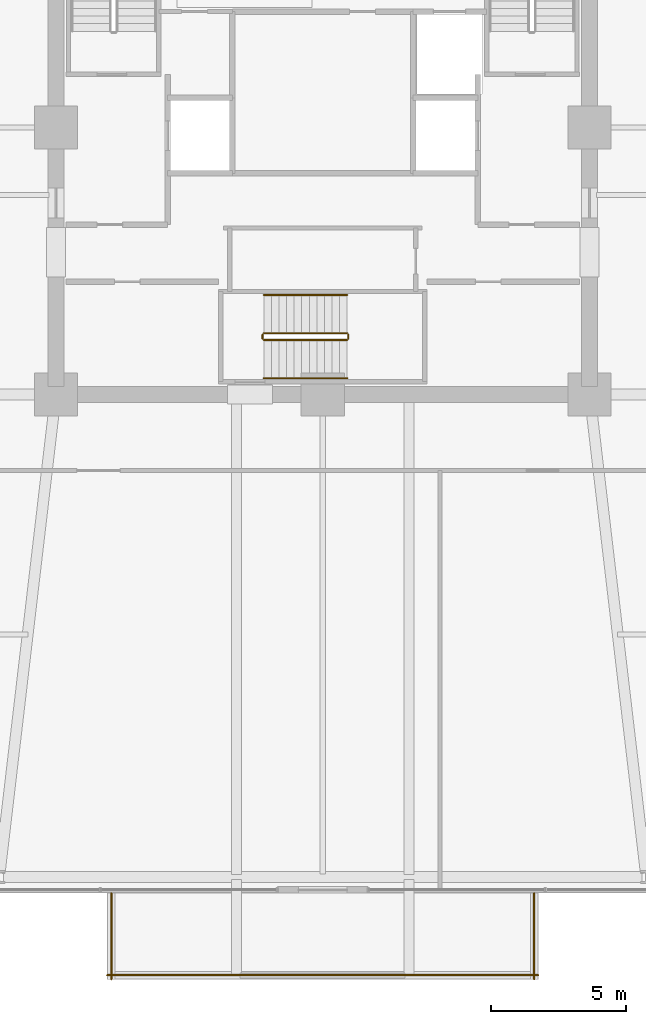
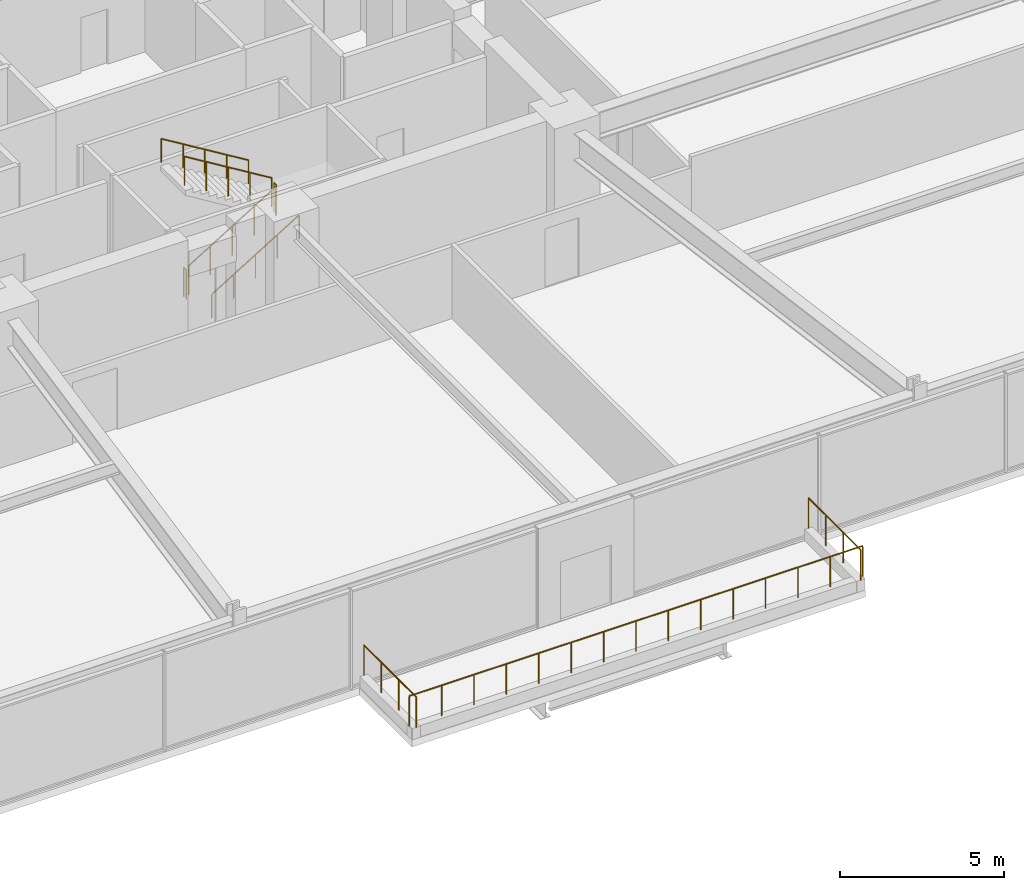
# One storey, part 37 of 39: 9 railings.
"""IFC4 building model written with IfcOpenShell, lengths in metres."""

from ifc_helpers import new_model, si_unit, direction, frame, origin, origin_2d, place, context, subcontext, project, spatial, circle, extrude, material, type_object, element, save


model = new_model("IFC4")

# Units and contexts
model_context = context("Model", 3, precision=1e-05, world=origin(), true_north=direction((0.0, 1.0)))
body_context = subcontext(model_context, "Body", "Model", "MODEL_VIEW")
ifc_project = project(units=[si_unit("LENGTHUNIT", "METRE"), si_unit("AREAUNIT", "SQUARE_METRE"), si_unit("VOLUMEUNIT", "CUBIC_METRE"), si_unit("PLANEANGLEUNIT", "RADIAN"), si_unit("MASSUNIT", "GRAM", prefix="KILO")], contexts=[model_context])

# Site, building, storey
site_placement = place(None, origin())
site = spatial("IfcSite", under=ifc_project, at=site_placement, CompositionType="ELEMENT")
building_placement = place(site_placement, origin())
building = spatial("IfcBuilding", under=site, at=building_placement, Name="Kolvaren Belvedere", CompositionType="ELEMENT")
storey_placement = place(building_placement, frame((0.0, 0.0, 15.199951171875)))
storey = spatial("IfcBuildingStorey", under=building, at=storey_placement, Name="L04", CompositionType="ELEMENT", Elevation=15.199951171875)

# Railings
ifc_material_1 = material(Name="Anodised pale-metal aluminium & laminated glass guard", Category="aluminium")
railing_type_1 = type_object("IfcRailingType", Name="RL-GUARD-1150", PredefinedType="GUARDRAIL", material=ifc_material_1)
railing_1_placement = place(storey_placement, frame((-8.0, -31.43994140625, 0.400146484375)))
element("IfcRailing", 1, at=railing_1_placement, inside=storey, type_object=railing_type_1, Name="L04 Exterior Deck Safety Guard POD-TERR-S-1", PredefinedType="GUARDRAIL", context=body_context, shape_type="SweptSolid", body=[
    extrude(circle(Radius=0.02392578125, at=origin_2d()), frame((0.0, 0.0, 1.1259765625), z_axis=(1.0, 0.0, 0.0), x_axis=(0.0, 1.0, 0.0)), (0.0, 0.0, 1.0), 16.0),
    extrude(circle(Radius=0.02099609375, at=origin_2d()), origin(), (0.0, 0.0, 1.0), 1.101806640625),
    extrude(circle(Radius=0.02099609375, at=origin_2d()), frame((1.142822265625, 0.0, 0.0)), (0.0, 0.0, 1.0), 1.101806640625),
    extrude(circle(Radius=0.02099609375, at=origin_2d()), frame((2.28564453125, 0.0, 0.0)), (0.0, 0.0, 1.0), 1.101806640625),
    extrude(circle(Radius=0.02099609375, at=origin_2d()), frame((3.428466796875, 0.0, 0.0)), (0.0, 0.0, 1.0), 1.101806640625),
    extrude(circle(Radius=0.02099609375, at=origin_2d()), frame((4.571533203125, 0.0, 0.0)), (0.0, 0.0, 1.0), 1.101806640625),
    extrude(circle(Radius=0.02099609375, at=origin_2d()), frame((5.71435546875, 0.0, 0.0)), (0.0, 0.0, 1.0), 1.101806640625),
    extrude(circle(Radius=0.02099609375, at=origin_2d()), frame((6.857177734375, 0.0, 0.0)), (0.0, 0.0, 1.0), 1.101806640625),
    extrude(circle(Radius=0.02099609375, at=origin_2d()), frame((8.0, 0.0, 0.0)), (0.0, 0.0, 1.0), 1.101806640625),
    extrude(circle(Radius=0.02099609375, at=origin_2d()), frame((9.142822265625, 0.0, 0.0)), (0.0, 0.0, 1.0), 1.101806640625),
    extrude(circle(Radius=0.02099609375, at=origin_2d()), frame((10.28564453125, 0.0, 0.0)), (0.0, 0.0, 1.0), 1.101806640625),
    extrude(circle(Radius=0.02099609375, at=origin_2d()), frame((11.428466796875, 0.0, 0.0)), (0.0, 0.0, 1.0), 1.101806640625),
    extrude(circle(Radius=0.02099609375, at=origin_2d()), frame((12.571533203125, 0.0, 0.0)), (0.0, 0.0, 1.0), 1.101806640625),
    extrude(circle(Radius=0.02099609375, at=origin_2d()), frame((13.71435546875, 0.0, 0.0)), (0.0, 0.0, 1.0), 1.101806640625),
    extrude(circle(Radius=0.02099609375, at=origin_2d()), frame((14.857177734375, 0.0, 0.0)), (0.0, 0.0, 1.0), 1.101806640625),
    extrude(circle(Radius=0.02099609375, at=origin_2d()), frame((16.0, 0.0, 0.0)), (0.0, 0.0, 1.0), 1.101806640625),
])
railing_2_placement = place(storey_placement, frame((7.840087890625, -31.60009765625, 0.400146484375)))
element("IfcRailing", 2, at=railing_2_placement, inside=storey, type_object=railing_type_1, Name="L04 Exterior Deck Safety Guard POD-TERR-S-2", PredefinedType="GUARDRAIL", context=body_context, shape_type="SweptSolid", body=[
    extrude(circle(Radius=0.02392578125, at=origin_2d()), frame((0.0, 0.0, 1.1259765625), z_axis=(0.0, 1.0, 0.0), x_axis=(-1.0, 0.0, 0.0)), (0.0, 0.0, 1.0), 3.2001953125),
    extrude(circle(Radius=0.02099609375, at=origin_2d()), origin(), (0.0, 0.0, 1.0), 1.101806640625),
    extrude(circle(Radius=0.02099609375, at=origin_2d()), frame((0.0, 1.066650390625, 0.0)), (0.0, 0.0, 1.0), 1.101806640625),
    extrude(circle(Radius=0.02099609375, at=origin_2d()), frame((0.0, 2.133544921875, 0.0)), (0.0, 0.0, 1.0), 1.101806640625),
    extrude(circle(Radius=0.02099609375, at=origin_2d()), frame((0.0, 3.2001953125, 0.0)), (0.0, 0.0, 1.0), 1.101806640625),
])
railing_3_placement = place(storey_placement, frame((-7.840087890625, -28.39990234375, 0.400146484375)))
element("IfcRailing", 3, at=railing_3_placement, inside=storey, type_object=railing_type_1, Name="L04 Exterior Deck Safety Guard POD-TERR-S-4", PredefinedType="GUARDRAIL", context=body_context, shape_type="SweptSolid", body=[
    extrude(circle(Radius=0.02392578125, at=origin_2d()), frame((0.0, 0.0, 1.1259765625), z_axis=(0.0, -1.0, 0.0), x_axis=(1.0, 0.0, 0.0)), (0.0, 0.0, 1.0), 3.2001953125),
    extrude(circle(Radius=0.02099609375, at=origin_2d()), origin(), (0.0, 0.0, 1.0), 1.101806640625),
    extrude(circle(Radius=0.02099609375, at=origin_2d()), frame((0.0, -1.066650390625, 0.0)), (0.0, 0.0, 1.0), 1.101806640625),
    extrude(circle(Radius=0.02099609375, at=origin_2d()), frame((0.0, -2.133544921875, 0.0)), (0.0, 0.0, 1.0), 1.101806640625),
    extrude(circle(Radius=0.02099609375, at=origin_2d()), frame((0.0, -3.2001953125, 0.0)), (0.0, 0.0, 1.0), 1.101806640625),
])
ifc_material_2 = material(Name="Brushed stainless-steel handrail", Category="steel")
railing_type_2 = type_object("IfcRailingType", Name="RL-HANDRAIL-920", PredefinedType="HANDRAIL", material=ifc_material_2)
railing_4_placement = place(storey_placement, frame((-2.179931640625, -9.300048828125, 0.1708984375)))
element("IfcRailing", 4, at=railing_4_placement, inside=storey, type_object=railing_type_2, Name="L04 ST-3 stair handrail 1", PredefinedType="HANDRAIL", context=body_context, shape_type="SweptSolid", body=[
    extrude(circle(Radius=0.02392578125, at=origin_2d()), frame((0.0, 0.0, 0.8759765625), z_axis=(0.853647949592, 0.0, 0.520850437417), x_axis=(0.0, 1.0, 0.0)), (0.0, 0.0, 1.0), 3.60791015625),
    extrude(circle(Radius=0.02099609375, at=origin_2d()), origin(), (0.0, 0.0, 1.0), 0.851806640625),
    extrude(circle(Radius=0.02099609375, at=origin_2d()), frame((0.77001953125, 0.0, 0.4697265625)), (0.0, 0.0, 1.0), 0.851806640625),
    extrude(circle(Radius=0.02099609375, at=origin_2d()), frame((1.5400390625, 0.0, 0.939453125)), (0.0, 0.0, 1.0), 0.851806640625),
    extrude(circle(Radius=0.02099609375, at=origin_2d()), frame((2.309814453125, 0.0, 1.409423828125)), (0.0, 0.0, 1.0), 0.851806640625),
    extrude(circle(Radius=0.02099609375, at=origin_2d()), frame((3.079833984375, 0.0, 1.879150390625)), (0.0, 0.0, 1.0), 0.851806640625),
])
railing_5_placement = place(storey_placement, frame((0.89990234375, -6.2099609375, 2.220947265625)))
element("IfcRailing", 5, at=railing_5_placement, inside=storey, type_object=railing_type_2, Name="L04 ST-3 stair handrail 2", PredefinedType="HANDRAIL", context=body_context, shape_type="SweptSolid", body=[
    extrude(circle(Radius=0.02392578125, at=origin_2d()), frame((0.0, 0.0, 0.8759765625), z_axis=(-0.853647949592, 0.0, 0.520850437417), x_axis=(0.0, -1.0, 0.0)), (0.0, 0.0, 1.0), 3.60791015625),
    extrude(circle(Radius=0.02099609375, at=origin_2d()), origin(), (0.0, 0.0, 1.0), 0.851806640625),
    extrude(circle(Radius=0.02099609375, at=origin_2d()), frame((-0.77001953125, 0.0, 0.4697265625)), (0.0, 0.0, 1.0), 0.851806640625),
    extrude(circle(Radius=0.02099609375, at=origin_2d()), frame((-1.5400390625, 0.0, 0.939453125)), (0.0, 0.0, 1.0), 0.851806640625),
    extrude(circle(Radius=0.02099609375, at=origin_2d()), frame((-2.309814453125, 0.0, 1.409423828125)), (0.0, 0.0, 1.0), 0.851806640625),
    extrude(circle(Radius=0.02099609375, at=origin_2d()), frame((-3.079833984375, 0.0, 1.879150390625)), (0.0, 0.0, 1.0), 0.851806640625),
])
ifc_material_3 = material(Name="Painted tubular steel stair guard", Category="steel")
railing_type_3 = type_object("IfcRailingType", Name="RL-STGUARD-1100", PredefinedType="GUARDRAIL", material=ifc_material_3)
railing_6_placement = place(storey_placement, frame((-2.179931640625, -7.8798828125, 0.1708984375)))
element("IfcRailing", 6, at=railing_6_placement, inside=storey, type_object=railing_type_3, Name="L04 ST-3 stair guard 1", PredefinedType="GUARDRAIL", context=body_context, shape_type="SweptSolid", body=[
    extrude(circle(Radius=0.02392578125, at=origin_2d()), frame((0.0, 0.0, 1.076171875), z_axis=(0.853647949592, 0.0, 0.520850437417), x_axis=(0.0, 1.0, 0.0)), (0.0, 0.0, 1.0), 3.60791015625),
    extrude(circle(Radius=0.02099609375, at=origin_2d()), origin(), (0.0, 0.0, 1.0), 1.052001953125),
    extrude(circle(Radius=0.02099609375, at=origin_2d()), frame((0.77001953125, 0.0, 0.4697265625)), (0.0, 0.0, 1.0), 1.052001953125),
    extrude(circle(Radius=0.02099609375, at=origin_2d()), frame((1.5400390625, 0.0, 0.939453125)), (0.0, 0.0, 1.0), 1.052001953125),
    extrude(circle(Radius=0.02099609375, at=origin_2d()), frame((2.309814453125, 0.0, 1.409423828125)), (0.0, 0.0, 1.0), 1.052001953125),
    extrude(circle(Radius=0.02099609375, at=origin_2d()), frame((3.079833984375, 0.0, 1.879150390625)), (0.0, 0.0, 1.0), 1.052001953125),
])
railing_7_placement = place(storey_placement, frame((0.949951171875, -7.830078125, 2.050048828125)))
element("IfcRailing", 7, at=railing_7_placement, inside=storey, type_object=railing_type_3, Name="L04 ST-3 stair guard 2", PredefinedType="GUARDRAIL", context=body_context, shape_type="SweptSolid", body=[
    extrude(circle(Radius=0.02392578125, at=origin_2d()), frame((0.0, 0.0, 1.076171875), z_axis=(0.0, 1.0, 0.0), x_axis=(-1.0, 0.0, 0.0)), (0.0, 0.0, 1.0), 0.150146484375),
    extrude(circle(Radius=0.02099609375, at=origin_2d()), origin(), (0.0, 0.0, 1.0), 1.052001953125),
    extrude(circle(Radius=0.02099609375, at=origin_2d()), frame((0.0, 0.150146484375, 0.0)), (0.0, 0.0, 1.0), 1.052001953125),
])
railing_8_placement = place(storey_placement, frame((0.89990234375, -7.6298828125, 2.220947265625)))
element("IfcRailing", 8, at=railing_8_placement, inside=storey, type_object=railing_type_3, Name="L04 ST-3 stair guard 3", PredefinedType="GUARDRAIL", context=body_context, shape_type="SweptSolid", body=[
    extrude(circle(Radius=0.02392578125, at=origin_2d()), frame((0.0, 0.0, 1.076171875), z_axis=(-0.853647949592, 0.0, 0.520850437417), x_axis=(0.0, -1.0, 0.0)), (0.0, 0.0, 1.0), 3.60791015625),
    extrude(circle(Radius=0.02099609375, at=origin_2d()), origin(), (0.0, 0.0, 1.0), 1.052001953125),
    extrude(circle(Radius=0.02099609375, at=origin_2d()), frame((-0.77001953125, 0.0, 0.4697265625)), (0.0, 0.0, 1.0), 1.052001953125),
    extrude(circle(Radius=0.02099609375, at=origin_2d()), frame((-1.5400390625, 0.0, 0.939453125)), (0.0, 0.0, 1.0), 1.052001953125),
    extrude(circle(Radius=0.02099609375, at=origin_2d()), frame((-2.309814453125, 0.0, 1.409423828125)), (0.0, 0.0, 1.0), 1.052001953125),
    extrude(circle(Radius=0.02099609375, at=origin_2d()), frame((-3.079833984375, 0.0, 1.879150390625)), (0.0, 0.0, 1.0), 1.052001953125),
])
railing_9_placement = place(storey_placement, frame((-2.22998046875, -7.830078125, 0.0)))
element("IfcRailing", 9, at=railing_9_placement, inside=storey, type_object=railing_type_3, Name="L04 ST-3 stair guard 4", PredefinedType="GUARDRAIL", context=body_context, shape_type="SweptSolid", body=[
    extrude(circle(Radius=0.02392578125, at=origin_2d()), frame((0.0, 0.0, 1.076171875), z_axis=(0.0, 1.0, 0.0), x_axis=(-1.0, 0.0, 0.0)), (0.0, 0.0, 1.0), 0.150146484375),
    extrude(circle(Radius=0.02099609375, at=origin_2d()), origin(), (0.0, 0.0, 1.0), 1.052001953125),
    extrude(circle(Radius=0.02099609375, at=origin_2d()), frame((0.0, 0.150146484375, 0.0)), (0.0, 0.0, 1.0), 1.052001953125),
])

save(model, "model.ifc")
